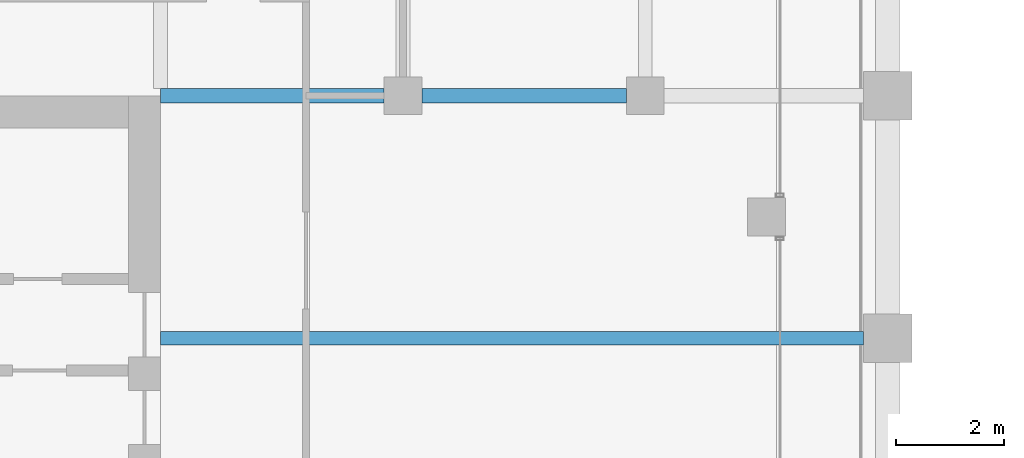
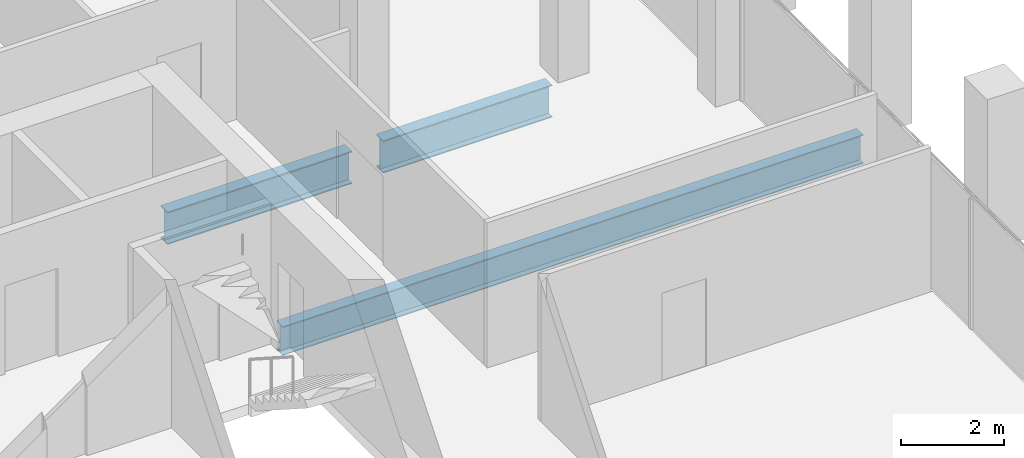
# One storey, part 18 of 40: 3 beams.
"""IFC4 building model written with IfcOpenShell, lengths in metres."""

from ifc_helpers import new_model, si_unit, direction, frame, origin, origin_2d, place, context, subcontext, project, spatial, i_section, extrude, material, material_profile, profile_set, type_object, element, save


model = new_model("IFC4")

# Units and contexts
model_context = context("Model", 3, precision=1e-05, world=origin(), true_north=direction((0.0, 1.0)))
body_context = subcontext(model_context, "Body", "Model", "MODEL_VIEW")
ifc_project = project(units=[si_unit("LENGTHUNIT", "METRE"), si_unit("AREAUNIT", "SQUARE_METRE"), si_unit("VOLUMEUNIT", "CUBIC_METRE"), si_unit("PLANEANGLEUNIT", "RADIAN"), si_unit("MASSUNIT", "GRAM", prefix="KILO")], contexts=[model_context])

# Site, building, storey
site_placement = place(None, origin())
site = spatial("IfcSite", under=ifc_project, at=site_placement, CompositionType="ELEMENT")
building_placement = place(site_placement, origin())
building = spatial("IfcBuilding", under=site, at=building_placement, Name="Altepetl Exchange Towers", CompositionType="ELEMENT")
storey_placement = place(building_placement, frame((0.0, 0.0, 183.39990234375)))
storey = spatial("IfcBuildingStorey", under=building, at=storey_placement, Name="L46", CompositionType="ELEMENT", Elevation=183.39990234375)

# Beams
ifc_material = material(Name="Steel S355", Category="steel")
ifc_material_profile_1 = material_profile(ifc_material, i_section(OverallWidth=0.25390625, OverallDepth=0.68408203125, WebThickness=0.012451171875, FlangeThickness=0.018798828125, at=origin_2d()), Name="W27X94")
ifc_profile_set_1 = profile_set([ifc_material_profile_1], Name="Steel S355")
beam_type_1 = type_object("IfcBeamType", Name="Floor beam W27X94", PredefinedType="BEAM", material=ifc_profile_set_1)
beam_1_placement = place(storey_placement, frame((58.5, 54.0, -0.491943359375), z_axis=(1.0, 0.0, 0.0), x_axis=(0.0, 1.0, 0.0)))
element("IfcBeam", 1, at=beam_1_placement, inside=storey, type_object=beam_type_1, Name="bm:A:L46:011", PredefinedType="BEAM", context=body_context, shape_type="SweptSolid", body=[
    extrude(i_section(OverallWidth=0.25390625, OverallDepth=0.68408203125, WebThickness=0.012451171875, FlangeThickness=0.018798828125, at=origin_2d()), origin(), (0.0, 0.0, 1.0), 13.050048828125),
])
ifc_material_profile_2 = material_profile(ifc_material, i_section(OverallWidth=0.26806640625, OverallDepth=0.77392578125, WebThickness=0.015380859375, FlangeThickness=0.025390625, at=origin_2d()), Name="W30X132")
ifc_profile_set_2 = profile_set([ifc_material_profile_2], Name="Steel S355")
beam_type_2 = type_object("IfcBeamType", Name="Girder W30X132", PredefinedType="BEAM", material=ifc_profile_set_2)
beam_2_placement = place(storey_placement, frame((58.5, 58.5, -0.536865234375), z_axis=(1.0, 0.0, 0.0), x_axis=(0.0, 1.0, 0.0)))
element("IfcBeam", 2, at=beam_2_placement, inside=storey, type_object=beam_type_2, Name="gd:A:L46:000", PredefinedType="BEAM", context=body_context, shape_type="SweptSolid", body=[
    extrude(i_section(OverallWidth=0.26806640625, OverallDepth=0.77392578125, WebThickness=0.015380859375, FlangeThickness=0.025390625, at=origin_2d()), origin(), (0.0, 0.0, 1.0), 4.14990234375),
])
beam_3_placement = place(storey_placement, frame((63.35009765625, 58.5, -0.536865234375), z_axis=(1.0, 0.0, 0.0), x_axis=(0.0, 1.0, 0.0)))
element("IfcBeam", 3, at=beam_3_placement, inside=storey, type_object=beam_type_2, Name="gd:A:L46:001", PredefinedType="BEAM", context=body_context, shape_type="SweptSolid", body=[
    extrude(i_section(OverallWidth=0.26806640625, OverallDepth=0.77392578125, WebThickness=0.015380859375, FlangeThickness=0.025390625, at=origin_2d()), origin(), (0.0, 0.0, 1.0), 3.7998046875),
])

save(model, "model.ifc")
